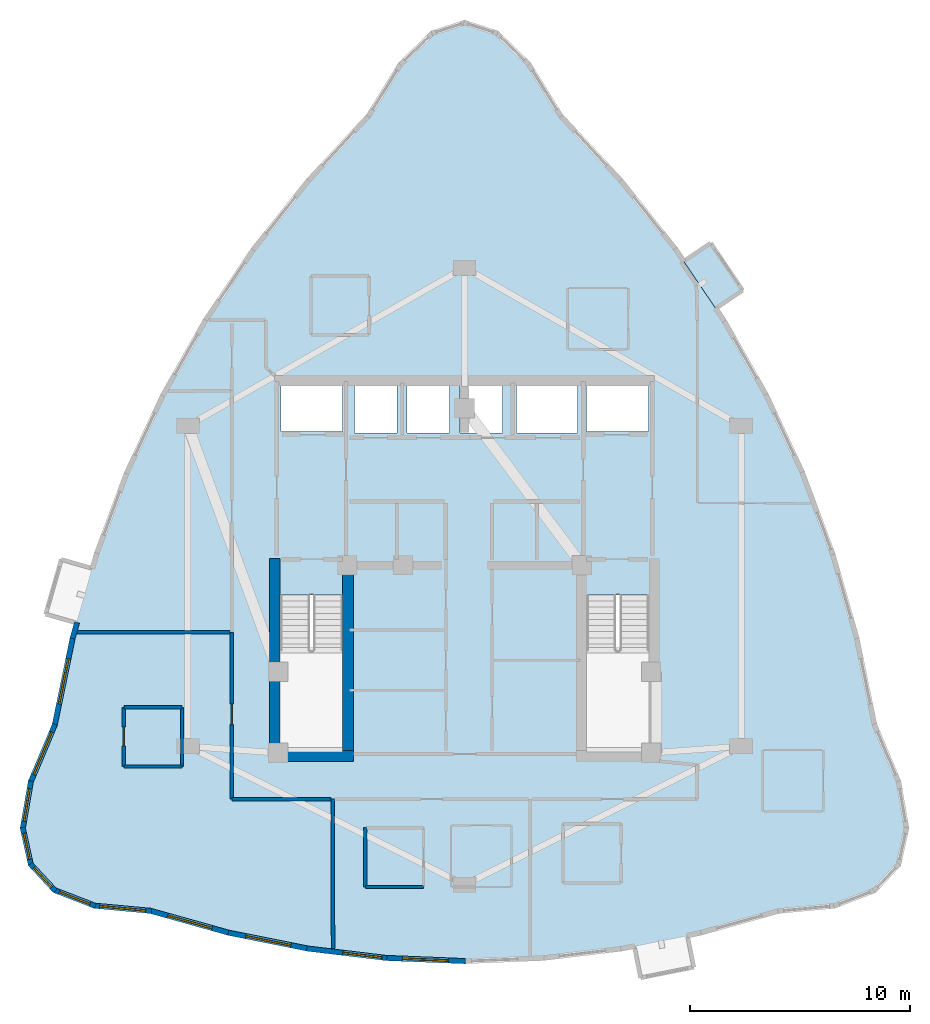
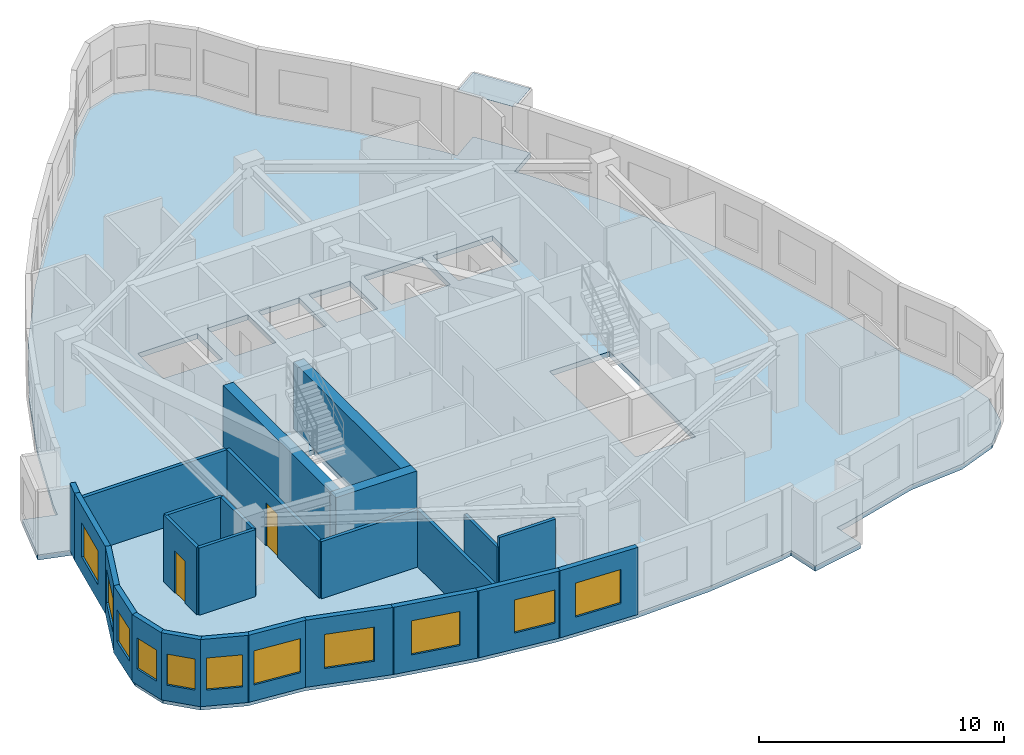
# One storey, part 3 of 9: 25 walls, 11 windows, 2 doors, 1 plate, 1 slab, 13 openings.
"""IFC4 building model written with IfcOpenShell, lengths in metres."""

from ifc_helpers import new_model, si_unit, direction, frame, frame_2d, origin, place, context, subcontext, project, spatial, polyline, rectangle, outline, extrude, material, layer, layer_set, type_object, element, fill, save


model = new_model("IFC4")

# Units and contexts
model_context = context("Model", 3, precision=1e-05, world=origin(), true_north=direction((0.0, 1.0)))
body_context = subcontext(model_context, "Body", "Model", "MODEL_VIEW")
ifc_project = project(units=[si_unit("LENGTHUNIT", "METRE"), si_unit("AREAUNIT", "SQUARE_METRE"), si_unit("VOLUMEUNIT", "CUBIC_METRE"), si_unit("PLANEANGLEUNIT", "RADIAN"), si_unit("MASSUNIT", "GRAM", prefix="KILO")], contexts=[model_context])

# Site, building, storey
site_placement = place(None, origin())
site = spatial("IfcSite", under=ifc_project, at=site_placement, CompositionType="ELEMENT")
building_placement = place(site_placement, origin())
building = spatial("IfcBuilding", under=site, at=building_placement, Name="Miruveldt Soraemaru", CompositionType="ELEMENT")
storey_placement = place(building_placement, frame((0.0, 0.0, 194.39990234375)))
storey = spatial("IfcBuildingStorey", under=building, at=storey_placement, Name="L53", CompositionType="ELEMENT", Elevation=194.39990234375)

# Plate
ifc_material_1 = material(Name="Standing-seam titanium-zinc sheet", Category="aluminium")
ifc_layer_1 = layer(ifc_material_1, 0.011962890625, Name="Standing-seam titanium-zinc sheet", Category="aluminium")
ifc_layer_set_1 = layer_set([ifc_layer_1], Name="Standing-seam titanium-zinc sheet")
plate_type = type_object("IfcPlateType", Name="PLT-ZINC-12", PredefinedType="SHEET", material=ifc_layer_set_1)
plate_placement = place(storey_placement, frame((0.0, 0.0, 3.195068359375)))
element("IfcPlate", 1, at=plate_placement, inside=storey, type_object=plate_type, Name="L53 Bay Window Zinc Hood Sheet 3", PredefinedType="SHEET", context=body_context, shape_type="SweptSolid", body=[
    extrude(outline(polyline([(55.4384765625, 55.73876953125), (53.980224609375, 57.891357421875), (55.20556640625, 58.721435546875), (56.663818359375, 56.56884765625), (55.4384765625, 55.73876953125)])), origin(), (0.0, 0.0, 1.0), 0.011962890625),
])

# Slab
ifc_material_2 = material(Name="Concrete C40/50 (40 MPa)", Category="concrete")
ifc_layer_2 = layer(ifc_material_2, 0.2548828125, Name="Concrete C40/50 (40 MPa)", Category="concrete")
ifc_layer_set_2 = layer_set([ifc_layer_2], Name="Concrete C40/50 (40 MPa)")
slab_type = type_object("IfcSlabType", Name="SLAB-RES3-255", PredefinedType="FLOOR", material=ifc_layer_set_2)
slab_placement = place(storey_placement, frame((0.0, 0.0, -0.2548828125)))
element("IfcSlab", 2, at=slab_placement, inside=storey, type_object=slab_type, Name="L53 Structural Floor Slab", PredefinedType="FLOOR", context=body_context, shape_type="SweptSolid", body=[
    extrude(outline(polyline([(52.012939453125, 25.2509765625), (51.72265625, 26.702392578125), (52.93798828125, 26.9453125), (51.150390625, 26.587890625), (47.5751953125, 26.158935546875), (44.0, 26.015869140625), (40.4248046875, 26.158935546875), (36.849609375, 26.587890625), (33.2744140625, 27.302978515625), (29.69921875, 28.303955078125), (27.1513671875, 28.539306640625), (25.331298828125, 29.245361328125), (24.239501953125, 30.422119140625), (23.87548828125, 32.069580078125), (24.239501953125, 34.18798828125), (25.331298828125, 36.77685546875), (26.14794921875, 40.7451171875), (26.337646484375, 41.407958984375), (24.914794921875, 41.81494140625), (25.629638671875, 44.314697265625), (27.052490234375, 43.90771484375), (26.695068359375, 42.65771484375), (27.2421875, 44.570556640625), (28.613525390625, 48.252685546875), (30.262451171875, 51.7919921875), (32.188720703125, 55.1884765625), (34.392578125, 58.441650390625), (36.873779296875, 61.552001953125), (39.63232421875, 64.519287109375), (41.088134765625, 66.872802734375), (42.544189453125, 68.284912109375), (44.0, 68.755615234375), (45.455810546875, 68.284912109375), (46.911865234375, 66.872802734375), (48.36767578125, 64.519287109375), (51.126220703125, 61.552001953125), (53.607421875, 58.441650390625), (54.709228515625, 56.81494140625), (53.980224609375, 57.891357421875), (55.20556640625, 58.721435546875), (56.663818359375, 56.56884765625), (55.4384765625, 55.73876953125), (55.811279296875, 55.1884765625), (57.737548828125, 51.7919921875), (59.386474609375, 48.252685546875), (60.7578125, 44.570556640625), (61.85205078125, 40.7451171875), (62.668701171875, 36.77685546875), (63.760498046875, 34.18798828125), (64.12451171875, 32.069580078125), (63.760498046875, 30.422119140625), (62.668701171875, 29.245361328125), (60.8486328125, 28.539306640625), (58.30078125, 28.303955078125), (54.7255859375, 27.302978515625), (54.153564453125, 27.1884765625), (54.443603515625, 25.7373046875), (52.012939453125, 25.2509765625)]), holes=[polyline([(35.614990234375, 35.6650390625), (38.43505859375, 35.6650390625), (38.43505859375, 42.68505859375), (35.614990234375, 42.68505859375), (35.614990234375, 35.6650390625)]), polyline([(49.56494140625, 35.6650390625), (52.385009765625, 35.6650390625), (52.385009765625, 42.68505859375), (49.56494140625, 42.68505859375), (49.56494140625, 35.6650390625)]), polyline([(38.445068359375, 50.135009765625), (38.445068359375, 52.205078125), (35.635009765625, 52.205078125), (35.635009765625, 50.135009765625), (38.445068359375, 50.135009765625)]), polyline([(52.364990234375, 50.135009765625), (52.364990234375, 52.205078125), (49.554931640625, 52.205078125), (49.554931640625, 50.135009765625), (52.364990234375, 50.135009765625)]), polyline([(40.9150390625, 50.06494140625), (40.9150390625, 52.3349609375), (38.985107421875, 52.3349609375), (38.985107421875, 50.06494140625), (40.9150390625, 50.06494140625)]), polyline([(43.31494140625, 50.06494140625), (43.31494140625, 52.3349609375), (41.385009765625, 52.3349609375), (41.385009765625, 50.06494140625), (43.31494140625, 50.06494140625)]), polyline([(45.715087890625, 50.06494140625), (45.715087890625, 52.3349609375), (43.784912109375, 52.3349609375), (43.784912109375, 50.06494140625), (45.715087890625, 50.06494140625)]), polyline([(49.135009765625, 50.06494140625), (49.135009765625, 52.3349609375), (46.364990234375, 52.3349609375), (46.364990234375, 50.06494140625), (49.135009765625, 50.06494140625)])]), origin(), (0.0, 0.0, 1.0), 0.2548828125),
])

# Walls
ifc_material_3 = material(Name="Concrete C60/75 (60 MPa)", Category="concrete")
ifc_layer_3 = layer(ifc_material_3, 0.47998046875, Name="Concrete C60/75 (60 MPa)", Category="concrete")
ifc_layer_set_3 = layer_set([ifc_layer_3], Name="Concrete C60/75 (60 MPa)")
wall_type_1 = type_object("IfcWallType", Name="WALL-CW-480", PredefinedType="SHEAR", material=ifc_layer_set_3)
wall_1_placement = place(storey_placement, frame((35.1201171875, 35.360107421875, 0.0), z_axis=(0.0, 0.0, 1.0), x_axis=(1.0, 0.0, 0.0)))
element("IfcWall", 3, at=wall_1_placement, inside=storey, type_object=wall_type_1, Name="L53 Central Core Shear Wall S1", PredefinedType="SHEAR", context=body_context, shape_type="SweptSolid", body=[
    extrude(rectangle(XDim=3.809814453125, YDim=0.47998046875, at=frame_2d((1.90478515625, 0.0))), origin(), (0.0, 0.0, 1.0), 3.34521484375),
])
wall_2_placement = place(storey_placement, frame((35.360107421875, 35.1201171875, 0.0), z_axis=(0.0, 0.0, 1.0), x_axis=(0.0, 1.0, 0.0)))
element("IfcWall", 4, at=wall_2_placement, inside=storey, type_object=wall_type_1, Name="L53 Central Core Shear Wall W1", PredefinedType="SHEAR", context=body_context, shape_type="SweptSolid", body=[
    extrude(rectangle(XDim=9.22998046875, YDim=0.47998046875, at=frame_2d((4.614990234375, 0.0))), origin(), (0.0, 0.0, 1.0), 3.34521484375),
])
wall_3_placement = place(storey_placement, frame((38.68994140625, 35.39990234375, 0.0), z_axis=(0.0, 0.0, 1.0), x_axis=(0.0, 1.0, 0.0)))
element("IfcWall", 5, at=wall_3_placement, inside=storey, type_object=wall_type_1, Name="L53 Central Core Shear Wall SW-INT", PredefinedType="SHEAR", context=body_context, shape_type="SweptSolid", body=[
    extrude(rectangle(XDim=8.9501953125, YDim=0.47998046875, at=frame_2d((4.47509765625, 0.0))), origin(), (0.0, 0.0, 1.0), 3.34521484375),
])
ifc_material_4 = material(Name="Precast concrete C45/55 (45 MPa)", Category="concrete")
ifc_layer_4 = layer(ifc_material_4, 0.239990234375, Name="Precast concrete C45/55 (45 MPa)", Category="concrete")
ifc_layer_set_4 = layer_set([ifc_layer_4], Name="Precast concrete C45/55 (45 MPa)")
wall_type_2 = type_object("IfcWallType", Name="WALL-EXT-PC240", PredefinedType="SOLIDWALL", material=ifc_layer_set_4)
wall_4_placement = place(storey_placement, frame((26.345703125, 41.436767578125, 0.0), z_axis=(0.0, 0.0, 1.0), x_axis=(-0.274763871522, -0.961511734149, 0.0)))
element("IfcWall", 6, at=wall_4_placement, inside=storey, type_object=wall_type_2, Name="L53 Precast Pier Wall 13B", PredefinedType="SOLIDWALL", context=body_context, shape_type="SweptSolid", body=[
    extrude(rectangle(XDim=0.75439453125, YDim=0.239990234375, at=frame_2d((0.377197265625, 0.0))), origin(), (0.0, 0.0, 1.0), 3.34521484375),
])

# Wall, opening, window
wall_5_placement = place(storey_placement, frame((26.155029296875, 40.779541015625, 0.0), z_axis=(0.0, 0.0, 1.0), x_axis=(-0.201569354934, -0.979474244251, 0.0)))
wall_5 = element("IfcWall", 7, at=wall_5_placement, inside=storey, type_object=wall_type_2, Name="L53 Precast Concrete Facade Wall 14", PredefinedType="SOLIDWALL", context=body_context, shape_type="SweptSolid", body=[
    extrude(rectangle(XDim=4.121826171875, YDim=0.239990234375, at=frame_2d((2.06103515625, 0.0))), origin(), (0.0, 0.0, 1.0), 3.34521484375),
])
opening_1_placement = place(wall_5_placement, frame((1.010986328125, 0.0, 0.800048828125)))
opening_1 = element("IfcOpeningElement", 8, at=opening_1_placement, cuts=wall_5, Name="Opening WN-1", PredefinedType="OPENING", context=body_context, shape_type="SweptSolid", body=[
    extrude(rectangle(XDim=2.10009765625, YDim=1.699951171875, at=frame_2d((1.050048828125, 0.85009765625))), frame((0.0, 0.1298828125, 0.0), z_axis=(0.0, -1.0, 0.0), x_axis=(1.0, 0.0, 0.0)), (0.0, 0.0, 1.0), 0.260009765625),
])
ifc_material_5 = material(Name="Triple low-e insulated glazing", Category="glass")
window_type_1 = type_object("IfcWindowType", Name="WIN-PUNCH-2100x1700", PartitioningType="SINGLE_PANEL", PredefinedType="WINDOW", material=ifc_material_5)
window_1_placement = place(opening_1_placement, origin())
window_1 = element("IfcWindow", 9, at=window_1_placement, inside=storey, type_object=window_type_1, Name="L53 Punched Triple-Glazed Window 14.1", OverallHeight=1.699951171875, OverallWidth=2.10009765625, PartitioningType="SINGLE_PANEL", PredefinedType="WINDOW", context=body_context, shape_type="SweptSolid", body=[
    extrude(rectangle(XDim=2.10009765625, YDim=1.699951171875, at=frame_2d((1.050048828125, 0.85009765625))), frame((0.0, 0.030029296875, 0.0), z_axis=(0.0, -1.0, 0.0), x_axis=(1.0, 0.0, 0.0)), (0.0, 0.0, 1.0), 0.06005859375),
])
fill(opening_1, window_1)

wall_6_placement = place(storey_placement, frame((25.344970703125, 36.80908203125, 0.0), z_axis=(0.0, 0.0, 1.0), x_axis=(-0.388633031519, -0.921392623593, 0.0)))
wall_6 = element("IfcWall", 10, at=wall_6_placement, inside=storey, type_object=wall_type_2, Name="L53 Precast Concrete Facade Wall 15", PredefinedType="SOLIDWALL", context=body_context, shape_type="SweptSolid", body=[
    extrude(rectangle(XDim=2.879638671875, YDim=0.239990234375, at=frame_2d((1.43994140625, 0.0))), origin(), (0.0, 0.0, 1.0), 3.34521484375),
])
opening_2_placement = place(wall_6_placement, frame((0.389892578125, 0.0, 0.800048828125)))
opening_2 = element("IfcOpeningElement", 11, at=opening_2_placement, cuts=wall_6, Name="Opening WN-1", PredefinedType="OPENING", context=body_context, shape_type="SweptSolid", body=[
    extrude(rectangle(XDim=2.10009765625, YDim=1.699951171875, at=frame_2d((1.050048828125, 0.85009765625))), frame((0.0, 0.1298828125, 0.0), z_axis=(0.0, -1.0, 0.0), x_axis=(1.0, 0.0, 0.0)), (0.0, 0.0, 1.0), 0.260009765625),
])
window_2_placement = place(opening_2_placement, origin())
window_2 = element("IfcWindow", 12, at=window_2_placement, inside=storey, type_object=window_type_1, Name="L53 Punched Triple-Glazed Window 15.1", OverallHeight=1.699951171875, OverallWidth=2.10009765625, PartitioningType="SINGLE_PANEL", PredefinedType="WINDOW", context=body_context, shape_type="SweptSolid", body=[
    extrude(rectangle(XDim=2.10009765625, YDim=1.699951171875, at=frame_2d((1.050048828125, 0.85009765625))), frame((0.0, 0.030029296875, 0.0), z_axis=(0.0, -1.0, 0.0), x_axis=(1.0, 0.0, 0.0)), (0.0, 0.0, 1.0), 0.06005859375),
])
fill(opening_2, window_2)

wall_7_placement = place(storey_placement, frame((24.245361328125, 34.222412109375, 0.0), z_axis=(0.0, 0.0, 1.0), x_axis=(-0.169302728302, -0.985564095424, 0.0)))
wall_7 = element("IfcWall", 13, at=wall_7_placement, inside=storey, type_object=wall_type_2, Name="L53 Precast Concrete Facade Wall 16", PredefinedType="SOLIDWALL", context=body_context, shape_type="SweptSolid", body=[
    extrude(rectangle(XDim=2.21923828125, YDim=0.239990234375, at=frame_2d((1.109619140625, 0.0))), origin(), (0.0, 0.0, 1.0), 3.34521484375),
])
opening_3_placement = place(wall_7_placement, frame((0.360107421875, 0.0, 0.800048828125)))
opening_3 = element("IfcOpeningElement", 14, at=opening_3_placement, cuts=wall_7, Name="Opening WN-3", PredefinedType="OPENING", context=body_context, shape_type="SweptSolid", body=[
    extrude(rectangle(XDim=1.5, YDim=1.60009765625, at=frame_2d((0.75, 0.800048828125))), frame((0.0, 0.1298828125, 0.0), z_axis=(0.0, -1.0, 0.0), x_axis=(1.0, 0.0, 0.0)), (0.0, 0.0, 1.0), 0.260009765625),
])
window_type_2 = type_object("IfcWindowType", Name="WIN-PUNCH-1500x1600", PartitioningType="SINGLE_PANEL", PredefinedType="WINDOW", material=ifc_material_5)
window_3_placement = place(opening_3_placement, origin())
window_3 = element("IfcWindow", 15, at=window_3_placement, inside=storey, type_object=window_type_2, Name="L53 Punched Triple-Glazed Window 16.1", OverallHeight=1.60009765625, OverallWidth=1.5, PartitioningType="SINGLE_PANEL", PredefinedType="WINDOW", context=body_context, shape_type="SweptSolid", body=[
    extrude(rectangle(XDim=1.5, YDim=1.60009765625, at=frame_2d((0.75, 0.800048828125))), frame((0.0, 0.030029296875, 0.0), z_axis=(0.0, -1.0, 0.0), x_axis=(1.0, 0.0, 0.0)), (0.0, 0.0, 1.0), 0.06005859375),
])
fill(opening_3, window_3)

wall_8_placement = place(storey_placement, frame((23.867919921875, 32.10400390625, 0.0), z_axis=(0.0, 0.0, 1.0), x_axis=(0.215738874415, -0.976451093535, 0.0)))
wall_8 = element("IfcWall", 16, at=wall_8_placement, inside=storey, type_object=wall_type_2, Name="L53 Precast Concrete Facade Wall 17", PredefinedType="SOLIDWALL", context=body_context, shape_type="SweptSolid", body=[
    extrude(rectangle(XDim=1.757568359375, YDim=0.239990234375, at=frame_2d((0.87890625, 0.0))), origin(), (0.0, 0.0, 1.0), 3.34521484375),
])
opening_4_placement = place(wall_8_placement, frame((0.278076171875, 0.0, 0.780029296875)))
opening_4 = element("IfcOpeningElement", 17, at=opening_4_placement, cuts=wall_8, Name="Opening WN-4", PredefinedType="OPENING", context=body_context, shape_type="SweptSolid", body=[
    extrude(rectangle(XDim=1.199951171875, YDim=1.550048828125, at=frame_2d((0.60009765625, 0.77490234375))), frame((0.0, 0.1298828125, 0.0), z_axis=(0.0, -1.0, 0.0), x_axis=(1.0, 0.0, 0.0)), (0.0, 0.0, 1.0), 0.260009765625),
])
window_type_3 = type_object("IfcWindowType", Name="WIN-PUNCH-1200x1550", PartitioningType="SINGLE_PANEL", PredefinedType="WINDOW", material=ifc_material_5)
window_4_placement = place(opening_4_placement, origin())
window_4 = element("IfcWindow", 18, at=window_4_placement, inside=storey, type_object=window_type_3, Name="L53 Punched Triple-Glazed Window 17.1", OverallHeight=1.550048828125, OverallWidth=1.199951171875, PartitioningType="SINGLE_PANEL", PredefinedType="WINDOW", context=body_context, shape_type="SweptSolid", body=[
    extrude(rectangle(XDim=1.199951171875, YDim=1.550048828125, at=frame_2d((0.60009765625, 0.77490234375))), frame((0.0, 0.030029296875, 0.0), z_axis=(0.0, -1.0, 0.0), x_axis=(1.0, 0.0, 0.0)), (0.0, 0.0, 1.0), 0.06005859375),
])
fill(opening_4, window_4)

wall_9_placement = place(storey_placement, frame((24.2158203125, 30.447998046875, 0.0), z_axis=(0.0, 0.0, 1.0), x_axis=(0.680087707161, -0.73313075953, 0.0)))
wall_9 = element("IfcWall", 19, at=wall_9_placement, inside=storey, type_object=wall_type_2, Name="L53 Precast Concrete Facade Wall 18", PredefinedType="SOLIDWALL", context=body_context, shape_type="SweptSolid", body=[
    extrude(rectangle(XDim=1.67529296875, YDim=0.239990234375, at=frame_2d((0.837646484375, 0.0))), origin(), (0.0, 0.0, 1.0), 3.34521484375),
])
opening_5_placement = place(wall_9_placement, frame((0.238037109375, 0.0, 0.780029296875)))
opening_5 = element("IfcOpeningElement", 20, at=opening_5_placement, cuts=wall_9, Name="Opening WN-4", PredefinedType="OPENING", context=body_context, shape_type="SweptSolid", body=[
    extrude(rectangle(XDim=1.199951171875, YDim=1.550048828125, at=frame_2d((0.60009765625, 0.77490234375))), frame((0.0, 0.1298828125, 0.0), z_axis=(0.0, -1.0, 0.0), x_axis=(1.0, 0.0, 0.0)), (0.0, 0.0, 1.0), 0.260009765625),
])
window_5_placement = place(opening_5_placement, origin())
window_5 = element("IfcWindow", 21, at=window_5_placement, inside=storey, type_object=window_type_3, Name="L53 Punched Triple-Glazed Window 18.1", OverallHeight=1.550048828125, OverallWidth=1.199951171875, PartitioningType="SINGLE_PANEL", PredefinedType="WINDOW", context=body_context, shape_type="SweptSolid", body=[
    extrude(rectangle(XDim=1.199951171875, YDim=1.550048828125, at=frame_2d((0.60009765625, 0.77490234375))), frame((0.0, 0.030029296875, 0.0), z_axis=(0.0, -1.0, 0.0), x_axis=(1.0, 0.0, 0.0)), (0.0, 0.0, 1.0), 0.06005859375),
])
fill(opening_5, window_5)

wall_10_placement = place(storey_placement, frame((25.298828125, 29.258056640625, 0.0), z_axis=(0.0, 0.0, 1.0), x_axis=(0.932274067203, -0.361752765878, 0.0)))
wall_10 = element("IfcWall", 22, at=wall_10_placement, inside=storey, type_object=wall_type_2, Name="L53 Precast Concrete Facade Wall 19", PredefinedType="SOLIDWALL", context=body_context, shape_type="SweptSolid", body=[
    extrude(rectangle(XDim=2.02197265625, YDim=0.239990234375, at=frame_2d((1.010986328125, 0.0))), origin(), (0.0, 0.0, 1.0), 3.34521484375),
])
opening_6_placement = place(wall_10_placement, frame((0.260986328125, 0.0, 0.800048828125)))
opening_6 = element("IfcOpeningElement", 23, at=opening_6_placement, cuts=wall_10, Name="Opening WN-3", PredefinedType="OPENING", context=body_context, shape_type="SweptSolid", body=[
    extrude(rectangle(XDim=1.5, YDim=1.60009765625, at=frame_2d((0.75, 0.800048828125))), frame((0.0, 0.1298828125, 0.0), z_axis=(0.0, -1.0, 0.0), x_axis=(1.0, 0.0, 0.0)), (0.0, 0.0, 1.0), 0.260009765625),
])
window_6_placement = place(opening_6_placement, origin())
window_6 = element("IfcWindow", 24, at=window_6_placement, inside=storey, type_object=window_type_2, Name="L53 Punched Triple-Glazed Window 19.1", OverallHeight=1.60009765625, OverallWidth=1.5, PartitioningType="SINGLE_PANEL", PredefinedType="WINDOW", context=body_context, shape_type="SweptSolid", body=[
    extrude(rectangle(XDim=1.5, YDim=1.60009765625, at=frame_2d((0.75, 0.800048828125))), frame((0.0, 0.030029296875, 0.0), z_axis=(0.0, -1.0, 0.0), x_axis=(1.0, 0.0, 0.0)), (0.0, 0.0, 1.0), 0.06005859375),
])
fill(opening_6, window_6)

wall_11_placement = place(storey_placement, frame((27.116455078125, 28.54248046875, 0.0), z_axis=(0.0, 0.0, 1.0), x_axis=(0.995763539578, -0.091950928475, 0.0)))
wall_11 = element("IfcWall", 25, at=wall_11_placement, inside=storey, type_object=wall_type_2, Name="L53 Precast Concrete Facade Wall 20", PredefinedType="SOLIDWALL", context=body_context, shape_type="SweptSolid", body=[
    extrude(rectangle(XDim=2.628662109375, YDim=0.239990234375, at=frame_2d((1.314453125, 0.0))), origin(), (0.0, 0.0, 1.0), 3.34521484375),
])
opening_7_placement = place(wall_11_placement, frame((0.263916015625, 0.0, 0.800048828125)))
opening_7 = element("IfcOpeningElement", 26, at=opening_7_placement, cuts=wall_11, Name="Opening WN-1", PredefinedType="OPENING", context=body_context, shape_type="SweptSolid", body=[
    extrude(rectangle(XDim=2.10009765625, YDim=1.699951171875, at=frame_2d((1.050048828125, 0.85009765625))), frame((0.0, 0.1298828125, 0.0), z_axis=(0.0, -1.0, 0.0), x_axis=(1.0, 0.0, 0.0)), (0.0, 0.0, 1.0), 0.260009765625),
])
window_7_placement = place(opening_7_placement, origin())
window_7 = element("IfcWindow", 27, at=window_7_placement, inside=storey, type_object=window_type_1, Name="L53 Punched Triple-Glazed Window 20.1", OverallHeight=1.699951171875, OverallWidth=2.10009765625, PartitioningType="SINGLE_PANEL", PredefinedType="WINDOW", context=body_context, shape_type="SweptSolid", body=[
    extrude(rectangle(XDim=2.10009765625, YDim=1.699951171875, at=frame_2d((1.050048828125, 0.85009765625))), frame((0.0, 0.030029296875, 0.0), z_axis=(0.0, -1.0, 0.0), x_axis=(1.0, 0.0, 0.0)), (0.0, 0.0, 1.0), 0.06005859375),
])
fill(opening_7, window_7)

wall_12_placement = place(storey_placement, frame((29.665283203125, 28.3134765625, 0.0), z_axis=(0.0, 0.0, 1.0), x_axis=(0.962962008879, -0.26963710697, 0.0)))
wall_12 = element("IfcWall", 28, at=wall_12_placement, inside=storey, type_object=wall_type_2, Name="L53 Precast Concrete Facade Wall 21", PredefinedType="SOLIDWALL", context=body_context, shape_type="SweptSolid", body=[
    extrude(rectangle(XDim=3.782958984375, YDim=0.239990234375, at=frame_2d((1.8916015625, 0.0))), origin(), (0.0, 0.0, 1.0), 3.34521484375),
])
opening_8_placement = place(wall_12_placement, frame((0.842041015625, 0.0, 0.800048828125)))
opening_8 = element("IfcOpeningElement", 29, at=opening_8_placement, cuts=wall_12, Name="Opening WN-1", PredefinedType="OPENING", context=body_context, shape_type="SweptSolid", body=[
    extrude(rectangle(XDim=2.10009765625, YDim=1.699951171875, at=frame_2d((1.050048828125, 0.85009765625))), frame((0.0, 0.1298828125, 0.0), z_axis=(0.0, -1.0, 0.0), x_axis=(1.0, 0.0, 0.0)), (0.0, 0.0, 1.0), 0.260009765625),
])
window_8_placement = place(opening_8_placement, origin())
window_8 = element("IfcWindow", 30, at=window_8_placement, inside=storey, type_object=window_type_1, Name="L53 Punched Triple-Glazed Window 21.1", OverallHeight=1.699951171875, OverallWidth=2.10009765625, PartitioningType="SINGLE_PANEL", PredefinedType="WINDOW", context=body_context, shape_type="SweptSolid", body=[
    extrude(rectangle(XDim=2.10009765625, YDim=1.699951171875, at=frame_2d((1.050048828125, 0.85009765625))), frame((0.0, 0.030029296875, 0.0), z_axis=(0.0, -1.0, 0.0), x_axis=(1.0, 0.0, 0.0)), (0.0, 0.0, 1.0), 0.06005859375),
])
fill(opening_8, window_8)

wall_13_placement = place(storey_placement, frame((33.239990234375, 27.309814453125, 0.0), z_axis=(0.0, 0.0, 1.0), x_axis=(0.980580675691, -0.196116135138, 0.0)))
wall_13 = element("IfcWall", 31, at=wall_13_placement, inside=storey, type_object=wall_type_2, Name="L53 Precast Concrete Facade Wall 22", PredefinedType="SOLIDWALL", context=body_context, shape_type="SweptSolid", body=[
    extrude(rectangle(XDim=3.716064453125, YDim=0.239990234375, at=frame_2d((1.85791015625, 0.0))), origin(), (0.0, 0.0, 1.0), 3.34521484375),
])
opening_9_placement = place(wall_13_placement, frame((0.80810546875, 0.0, 0.800048828125)))
opening_9 = element("IfcOpeningElement", 32, at=opening_9_placement, cuts=wall_13, Name="Opening WN-1", PredefinedType="OPENING", context=body_context, shape_type="SweptSolid", body=[
    extrude(rectangle(XDim=2.10009765625, YDim=1.699951171875, at=frame_2d((1.050048828125, 0.85009765625))), frame((0.0, 0.1298828125, 0.0), z_axis=(0.0, -1.0, 0.0), x_axis=(1.0, 0.0, 0.0)), (0.0, 0.0, 1.0), 0.260009765625),
])
window_9_placement = place(opening_9_placement, origin())
window_9 = element("IfcWindow", 33, at=window_9_placement, inside=storey, type_object=window_type_1, Name="L53 Punched Triple-Glazed Window 22.1", OverallHeight=1.699951171875, OverallWidth=2.10009765625, PartitioningType="SINGLE_PANEL", PredefinedType="WINDOW", context=body_context, shape_type="SweptSolid", body=[
    extrude(rectangle(XDim=2.10009765625, YDim=1.699951171875, at=frame_2d((1.050048828125, 0.85009765625))), frame((0.0, 0.030029296875, 0.0), z_axis=(0.0, -1.0, 0.0), x_axis=(1.0, 0.0, 0.0)), (0.0, 0.0, 1.0), 0.06005859375),
])
fill(opening_9, window_9)

wall_14_placement = place(storey_placement, frame((36.814697265625, 26.592041015625, 0.0), z_axis=(0.0, 0.0, 1.0), x_axis=(0.992881557913, -0.11910588548, 0.0)))
wall_14 = element("IfcWall", 34, at=wall_14_placement, inside=storey, type_object=wall_type_2, Name="L53 Precast Concrete Facade Wall 23", PredefinedType="SOLIDWALL", context=body_context, shape_type="SweptSolid", body=[
    extrude(rectangle(XDim=3.671142578125, YDim=0.239990234375, at=frame_2d((1.83544921875, 0.0))), origin(), (0.0, 0.0, 1.0), 3.34521484375),
])
opening_10_placement = place(wall_14_placement, frame((1.64794921875, 0.0, 0.800048828125)))
opening_10 = element("IfcOpeningElement", 35, at=opening_10_placement, cuts=wall_14, Name="Opening WN-2", PredefinedType="OPENING", context=body_context, shape_type="SweptSolid", body=[
    extrude(rectangle(XDim=1.800048828125, YDim=1.64990234375, at=frame_2d((0.89990234375, 0.824951171875))), frame((0.0, 0.1298828125, 0.0), z_axis=(0.0, -1.0, 0.0), x_axis=(1.0, 0.0, 0.0)), (0.0, 0.0, 1.0), 0.260009765625),
])
window_type_4 = type_object("IfcWindowType", Name="WIN-PUNCH-1800x1650", PartitioningType="SINGLE_PANEL", PredefinedType="WINDOW", material=ifc_material_5)
window_10_placement = place(opening_10_placement, origin())
window_10 = element("IfcWindow", 36, at=window_10_placement, inside=storey, type_object=window_type_4, Name="L53 Punched Triple-Glazed Window 23.1", OverallHeight=1.64990234375, OverallWidth=1.800048828125, PartitioningType="SINGLE_PANEL", PredefinedType="WINDOW", context=body_context, shape_type="SweptSolid", body=[
    extrude(rectangle(XDim=1.800048828125, YDim=1.64990234375, at=frame_2d((0.89990234375, 0.824951171875))), frame((0.0, 0.030029296875, 0.0), z_axis=(0.0, -1.0, 0.0), x_axis=(1.0, 0.0, 0.0)), (0.0, 0.0, 1.0), 0.06005859375),
])
fill(opening_10, window_10)

wall_15_placement = place(storey_placement, frame((40.389892578125, 26.160400390625, 0.0), z_axis=(0.0, 0.0, 1.0), x_axis=(0.999198819095, -0.040021493223, 0.0)))
wall_15 = element("IfcWall", 37, at=wall_15_placement, inside=storey, type_object=wall_type_2, Name="L53 Precast Concrete Facade Wall 24", PredefinedType="SOLIDWALL", context=body_context, shape_type="SweptSolid", body=[
    extrude(rectangle(XDim=3.64794921875, YDim=0.239990234375, at=frame_2d((1.823974609375, 0.0))), origin(), (0.0, 0.0, 1.0), 3.34521484375),
])
opening_11_placement = place(wall_15_placement, frame((0.77392578125, 0.0, 0.800048828125)))
opening_11 = element("IfcOpeningElement", 38, at=opening_11_placement, cuts=wall_15, Name="Opening WN-1", PredefinedType="OPENING", context=body_context, shape_type="SweptSolid", body=[
    extrude(rectangle(XDim=2.10009765625, YDim=1.699951171875, at=frame_2d((1.050048828125, 0.85009765625))), frame((0.0, 0.1298828125, 0.0), z_axis=(0.0, -1.0, 0.0), x_axis=(1.0, 0.0, 0.0)), (0.0, 0.0, 1.0), 0.260009765625),
])
window_11_placement = place(opening_11_placement, origin())
window_11 = element("IfcWindow", 39, at=window_11_placement, inside=storey, type_object=window_type_1, Name="L53 Punched Triple-Glazed Window 24.1", OverallHeight=1.699951171875, OverallWidth=2.10009765625, PartitioningType="SINGLE_PANEL", PredefinedType="WINDOW", context=body_context, shape_type="SweptSolid", body=[
    extrude(rectangle(XDim=2.10009765625, YDim=1.699951171875, at=frame_2d((1.050048828125, 0.85009765625))), frame((0.0, 0.030029296875, 0.0), z_axis=(0.0, -1.0, 0.0), x_axis=(1.0, 0.0, 0.0)), (0.0, 0.0, 1.0), 0.06005859375),
])
fill(opening_11, window_11)

# Wall, opening, door
ifc_material_6 = material(Name="Gypsum plasterboard lining", Category="gypsum")
ifc_layer_5 = layer(ifc_material_6, 0.14990234375, Name="Gypsum plasterboard lining", Category="gypsum")
ifc_layer_set_5 = layer_set([ifc_layer_5], Name="Gypsum plasterboard lining")
wall_type_3 = type_object("IfcWallType", Name="WALL-INT-PLUMB", PredefinedType="PLUMBINGWALL", material=ifc_layer_set_5)
wall_16_placement = place(storey_placement, frame((28.47998046875, 37.580078125, 0.0), z_axis=(0.0, 0.0, 1.0), x_axis=(0.0, -1.0, 0.0)))
wall_16 = element("IfcWall", 40, at=wall_16_placement, inside=storey, type_object=wall_type_3, Name="L53 Partition Wall 24", PredefinedType="PLUMBINGWALL", context=body_context, shape_type="SweptSolid", body=[
    extrude(rectangle(XDim=2.7001953125, YDim=0.14990234375, at=frame_2d((1.35009765625, 0.0))), origin(), (0.0, 0.0, 1.0), 3.34521484375),
])
opening_12_placement = place(wall_16_placement, frame((0.909912109375, 0.0, 0.0)))
opening_12 = element("IfcOpeningElement", 41, at=opening_12_placement, cuts=wall_16, Name="Opening FD3", PredefinedType="OPENING", context=body_context, shape_type="SweptSolid", body=[
    extrude(rectangle(XDim=0.85009765625, YDim=2.10009765625, at=frame_2d((0.425048828125, 1.050048828125))), frame((0.0, 0.0849609375, 0.0), z_axis=(0.0, -1.0, 0.0), x_axis=(1.0, 0.0, 0.0)), (0.0, 0.0, 1.0), 0.169921875),
])
ifc_material_7 = material(Name="Anodised aluminium EN AW-6063 T6", Category="aluminium")
door_type_1 = type_object("IfcDoorType", Name="DOOR-FD3-850", OperationType="NOTDEFINED", PredefinedType="DOOR", material=ifc_material_7)
door_1_placement = place(opening_12_placement, origin())
door_1 = element("IfcDoor", 42, at=door_1_placement, inside=storey, type_object=door_type_1, Name="L53 Unit CL03 BTH Door", OperationType="SINGLE_SWING_LEFT", OverallHeight=2.10009765625, OverallWidth=0.85009765625, PredefinedType="DOOR", context=body_context, shape_type="SweptSolid", body=[
    extrude(rectangle(XDim=0.85009765625, YDim=2.10009765625, at=frame_2d((0.425048828125, 1.050048828125))), frame((0.0, 0.02490234375, 0.0), z_axis=(0.0, -1.0, 0.0), x_axis=(1.0, 0.0, 0.0)), (0.0, 0.0, 1.0), 0.050048828125),
])
fill(opening_12, door_1)

# Walls
wall_17_placement = place(storey_placement, frame((39.47998046875, 32.097900390625, 0.0), z_axis=(0.0, 0.0, 1.0), x_axis=(0.0, -1.0, 0.0)))
element("IfcWall", 43, at=wall_17_placement, inside=storey, type_object=wall_type_3, Name="L53 Partition Wall 29", PredefinedType="PLUMBINGWALL", context=body_context, shape_type="SweptSolid", body=[
    extrude(rectangle(XDim=2.699951171875, YDim=0.14990234375, at=frame_2d((1.35009765625, 0.0))), origin(), (0.0, 0.0, 1.0), 2.84521484375),
])
wall_18_placement = place(storey_placement, frame((31.1298828125, 34.8798828125, 0.0), z_axis=(0.0, 0.0, 1.0), x_axis=(0.0, 1.0, 0.0)))
element("IfcWall", 44, at=wall_18_placement, inside=storey, type_object=wall_type_3, Name="L53 Partition Wall 22", PredefinedType="PLUMBINGWALL", context=body_context, shape_type="SweptSolid", body=[
    extrude(rectangle(XDim=2.7001953125, YDim=0.14990234375, at=frame_2d((1.35009765625, 0.0))), origin(), (0.0, 0.0, 1.0), 3.34521484375),
])
for number, where, z_axis, x_axis, name in (
    (45, (39.47998046875, 29.39794921875, 0.0), (0.0, 0.0, 1.0), (1.0, 0.0, 0.0), "L53 Partition Wall 30"),
    (46, (31.1298828125, 37.580078125, 0.0), (0.0, 0.0, 1.0), (-1.0, 0.0, 0.0), "L53 Partition Wall 23"),
    (47, (28.47998046875, 34.8798828125, 0.0), (0.0, 0.0, 1.0), (1.0, 0.0, 0.0), "L53 Partition Wall 25"),
):
    element("IfcWall", number, at=place(storey_placement, frame(where, z_axis=z_axis, x_axis=x_axis)), inside=storey, type_object=wall_type_3, Name=name, PredefinedType="PLUMBINGWALL", context=body_context, shape_type="SweptSolid", body=[
        extrude(rectangle(XDim=2.64990234375, YDim=0.14990234375, at=frame_2d((1.324951171875, 0.0))), origin(), (0.0, 0.0, 1.0), 3.34521484375),
    ])

# Wall, opening, door
ifc_layer_6 = layer(ifc_material_2, 0.159912109375, Name="Concrete C40/50 (40 MPa)", Category="concrete")
ifc_layer_set_6 = layer_set([ifc_layer_6], Name="Concrete C40/50 (40 MPa)")
wall_type_4 = type_object("IfcWallType", Name="WALL-INT-RC160", PredefinedType="SOLIDWALL", material=ifc_layer_set_6)
wall_19_placement = place(storey_placement, frame((33.39990234375, 40.9951171875, 0.0), z_axis=(0.0, 0.0, 1.0), x_axis=(0.0, -1.0, 0.0)))
wall_19 = element("IfcWall", 48, at=wall_19_placement, inside=storey, type_object=wall_type_4, Name="L53 Partition Wall 5", PredefinedType="SOLIDWALL", context=body_context, shape_type="SweptSolid", body=[
    extrude(rectangle(XDim=7.59521484375, YDim=0.159912109375, at=frame_2d((3.797607421875, 0.0))), origin(), (0.0, 0.0, 1.0), 2.84521484375),
])
opening_13_placement = place(wall_19_placement, frame((3.260009765625, 0.0, 0.0)))
opening_13 = element("IfcOpeningElement", 49, at=opening_13_placement, cuts=wall_19, Name="Opening FD2", PredefinedType="OPENING", context=body_context, shape_type="SweptSolid", body=[
    extrude(rectangle(XDim=0.949951171875, YDim=2.14990234375, at=frame_2d((0.47509765625, 1.074951171875))), frame((0.0, 0.08984375, 0.0), z_axis=(0.0, -1.0, 0.0), x_axis=(1.0, 0.0, 0.0)), (0.0, 0.0, 1.0), 0.179931640625),
])
door_type_2 = type_object("IfcDoorType", Name="DOOR-FD2-950", OperationType="NOTDEFINED", PredefinedType="DOOR", material=ifc_material_7)
door_2_placement = place(opening_13_placement, origin())
door_2 = element("IfcDoor", 50, at=door_2_placement, inside=storey, type_object=door_type_2, Name="L53 Unit CL03 Entrance Fire Door", OperationType="SINGLE_SWING_RIGHT", OverallHeight=2.14990234375, OverallWidth=0.949951171875, PredefinedType="DOOR", context=body_context, shape_type="SweptSolid", body=[
    extrude(rectangle(XDim=0.949951171875, YDim=2.14990234375, at=frame_2d((0.47509765625, 1.074951171875))), frame((0.0, 0.02490234375, 0.0), z_axis=(0.0, -1.0, 0.0), x_axis=(1.0, 0.0, 0.0)), (0.0, 0.0, 1.0), 0.050048828125),
])
fill(opening_13, door_2)

# Walls
wall_20_placement = place(storey_placement, frame((26.35693359375, 40.986083984375, 0.0), z_axis=(0.0, 0.0, 1.0), x_axis=(0.999998000006, 0.001999996, 0.0)))
element("IfcWall", 51, at=wall_20_placement, inside=storey, type_object=wall_type_4, Name="L53 Partition Wall 21", PredefinedType="SOLIDWALL", context=body_context, shape_type="SweptSolid", body=[
    extrude(rectangle(XDim=6.9580078125, YDim=0.159912109375, at=frame_2d((3.47900390625, 0.0))), origin(), (0.0, 0.0, 1.0), 2.84521484375),
])
wall_21_placement = place(storey_placement, frame((38.007080078125, 26.5849609375, 0.0), z_axis=(0.0, 0.0, 1.0), x_axis=(-0.001038904648, 0.999999460338, 0.0)))
element("IfcWall", 52, at=wall_21_placement, inside=storey, type_object=wall_type_4, Name="L53 Partition Wall 26", PredefinedType="SOLIDWALL", context=body_context, shape_type="SweptSolid", body=[
    extrude(rectangle(XDim=6.81494140625, YDim=0.159912109375, at=frame_2d((3.407470703125, 0.0))), origin(), (0.0, 0.0, 1.0), 2.84521484375),
])
wall_22_placement = place(storey_placement, frame((33.39990234375, 33.39990234375, 0.0), z_axis=(0.0, 0.0, 1.0), x_axis=(1.0, 0.0, 0.0)))
element("IfcWall", 53, at=wall_22_placement, inside=storey, type_object=wall_type_4, Name="L53 Partition Wall 6", PredefinedType="SOLIDWALL", context=body_context, shape_type="SweptSolid", body=[
    extrude(rectangle(XDim=4.51513671875, YDim=0.159912109375, at=frame_2d((2.257568359375, 0.0))), origin(), (0.0, 0.0, 1.0), 2.84521484375),
])

save(model, "model.ifc")
